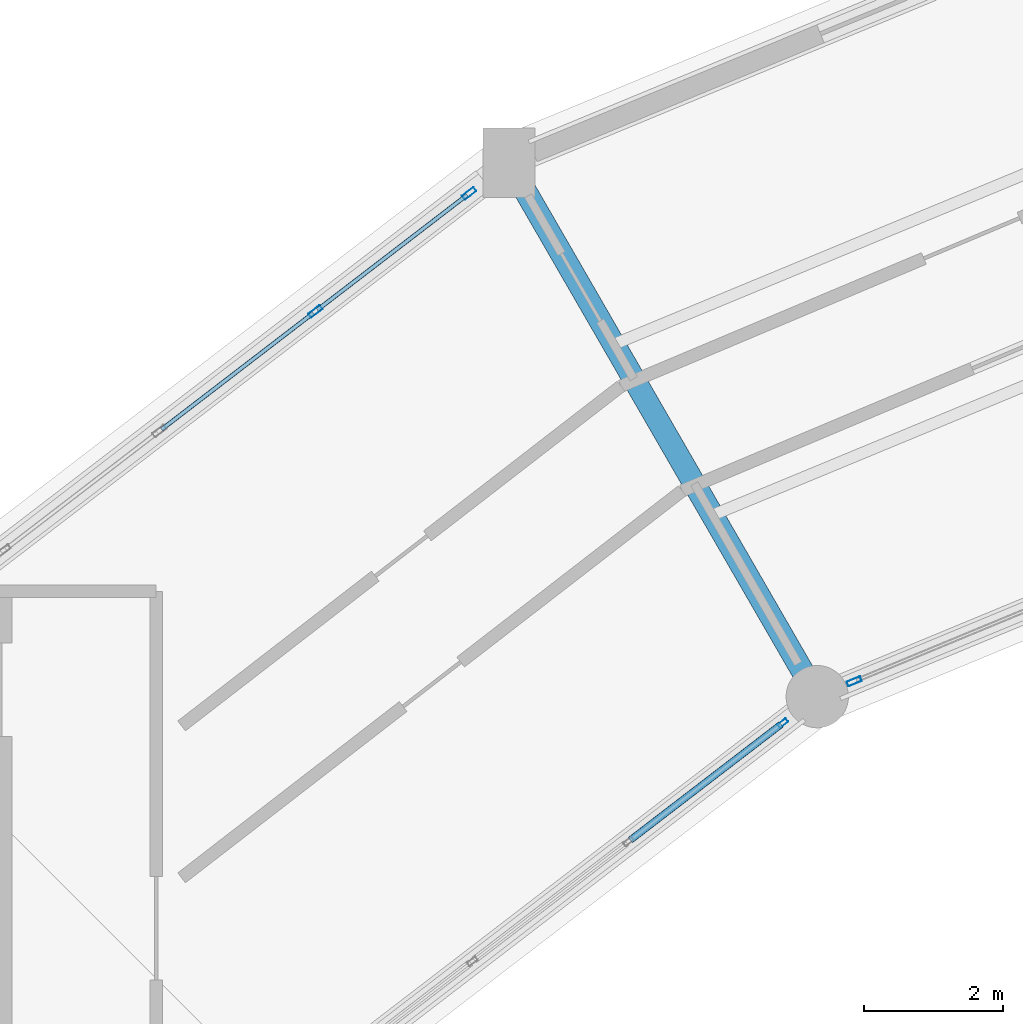
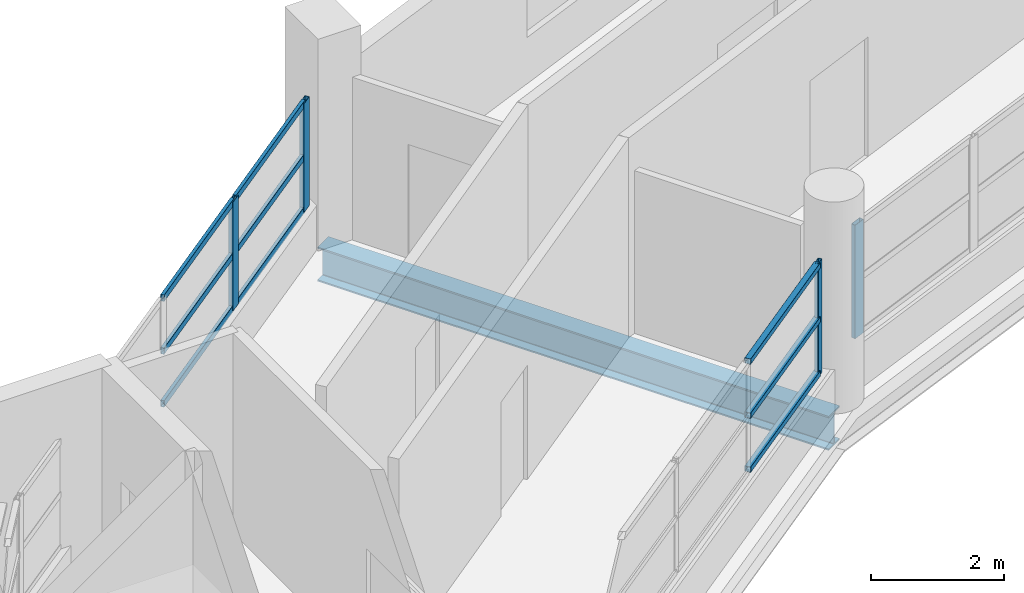
# One storey, part 27 of 53: 13 members, 1 beam, 3 elements without a shape of their own.
"""IFC4 building model written with IfcOpenShell, lengths in metres."""

from ifc_helpers import new_model, si_unit, direction, frame, origin, origin_2d, place, context, subcontext, project, spatial, hollow_rectangle, i_section, extrude, material, layer, layer_set, material_profile, profile_set, type_object, element, aggregate, save


model = new_model("IFC4")

# Units and contexts
model_context = context("Model", 3, precision=1e-05, world=origin(), true_north=direction((0.0, 1.0)))
body_context = subcontext(model_context, "Body", "Model", "MODEL_VIEW")
ifc_project = project(units=[si_unit("LENGTHUNIT", "METRE"), si_unit("AREAUNIT", "SQUARE_METRE"), si_unit("VOLUMEUNIT", "CUBIC_METRE"), si_unit("PLANEANGLEUNIT", "RADIAN"), si_unit("MASSUNIT", "GRAM", prefix="KILO")], contexts=[model_context])

# Site, building, storey
site_placement = place(None, origin())
site = spatial("IfcSite", under=ifc_project, at=site_placement, CompositionType="ELEMENT")
building_placement = place(site_placement, origin())
building = spatial("IfcBuilding", under=site, at=building_placement, Name="Vespera Passage Community Centre", CompositionType="ELEMENT")
storey_placement = place(building_placement, frame((0.0, 0.0, 20.39990234375)))
storey = spatial("IfcBuildingStorey", under=building, at=storey_placement, Name="L05", CompositionType="ELEMENT", Elevation=20.39990234375)

# Beam
ifc_material_1 = material(Name="Steel ASTM A992 Grade 50", Category="steel")
ifc_material_profile_1 = material_profile(ifc_material_1, i_section(OverallWidth=0.32763671875, OverallDepth=0.62841796875, WebThickness=0.0166015625, FlangeThickness=0.027587890625, FilletRadius=0.0126953125, at=origin_2d()), Name="W24X146")
ifc_profile_set_1 = profile_set([ifc_material_profile_1], Name="Steel ASTM A992 Grade 50")
beam_type = type_object("IfcBeamType", Name="BM-G-W24X146", PredefinedType="BEAM", material=ifc_profile_set_1)
beam_placement = place(storey_placement, frame((59.39990234375, 97.716064453125, -0.57421875), z_axis=(-0.499989191739, 0.866031643847, 0.0), x_axis=(-0.866031643847, -0.499989191739, 0.0)))
element("IfcBeam", 1, at=beam_placement, inside=storey, type_object=beam_type, Name="V4 L05 Radial Girder 8", PredefinedType="BEAM", context=body_context, shape_type="SweptSolid", body=[
    extrude(i_section(OverallWidth=0.32763671875, OverallDepth=0.62841796875, WebThickness=0.0166015625, FlangeThickness=0.027587890625, FilletRadius=0.0126953125, at=origin_2d()), origin(), (0.0, 0.0, 1.0), 8.900146484375),
])

# Curtain wall, member
ifc_material_2 = material(Name="Anodized aluminium 6063-T6", Category="aluminium")
ifc_layer_1 = layer(ifc_material_2, 0.159912109375)
ifc_layer_set_1 = layer_set([ifc_layer_1], Name="Anodized aluminium 6063-T6")
curtain_wall_type_1 = type_object("IfcCurtainWallType", Name="CW-61E", PredefinedType="NOTDEFINED", material=ifc_layer_set_1)
curtain_wall_1_placement = place(storey_placement, origin())
curtain_wall_1 = element("IfcCurtainWall", 2, at=curtain_wall_1_placement, inside=storey, type_object=curtain_wall_type_1, Name="V4 L05 Inner Court Curtain Wall 8", PredefinedType="NOTDEFINED")
ifc_material_3 = material(Name="Anodized aluminium 6063-T6", Category="aluminium")
ifc_material_profile_2 = material_profile(ifc_material_3, hollow_rectangle(XDim=0.06494140625, YDim=0.14990234375, WallThickness=0.00390625, InnerFilletRadius=0.001953125, OuterFilletRadius=0.00390625, at=origin_2d()), Name="ALU150X65X4")
ifc_profile_set_2 = profile_set([ifc_material_profile_2], Name="Anodized aluminium 6063-T6")
member_type_1 = type_object("IfcMemberType", Name="MB-CWM-150E", PredefinedType="MULLION", material=ifc_profile_set_2)
member_1_placement = place(storey_placement, frame((58.903564453125, 97.335205078125, 0.820068359375), z_axis=(0.0, 0.0, 1.0), x_axis=(0.608755087843, -0.793358205999, 0.0)))
member_1 = element("IfcMember", 3, at=member_1_placement, type_object=member_type_1, Name="CW-61E mullion 1", PredefinedType="MULLION", context=body_context, shape_type="SweptSolid", body=[
    extrude(hollow_rectangle(XDim=0.06494140625, YDim=0.14990234375, WallThickness=0.00390625, InnerFilletRadius=0.001953125, OuterFilletRadius=0.00390625, at=origin_2d()), origin(), (0.0, 0.0, 1.0), 2.08935546875),
])

ifc_material_4 = material(Name="Anodized aluminium 6063-T6", Category="aluminium")
ifc_layer_2 = layer(ifc_material_4, 0.159912109375)
ifc_layer_set_2 = layer_set([ifc_layer_2], Name="Anodized aluminium 6063-T6")
curtain_wall_type_2 = type_object("IfcCurtainWallType", Name="CW-56E", PredefinedType="NOTDEFINED", material=ifc_layer_set_2)
curtain_wall_2_placement = place(storey_placement, origin())
curtain_wall_2 = element("IfcCurtainWall", 4, at=curtain_wall_2_placement, inside=storey, type_object=curtain_wall_type_2, Name="V4 L05 Inner Court Curtain Wall 7", PredefinedType="NOTDEFINED")
ifc_material_5 = material(Name="Anodized aluminium 6063-T6", Category="aluminium")
ifc_material_profile_3 = material_profile(ifc_material_5, hollow_rectangle(XDim=0.074951171875, YDim=0.2099609375, WallThickness=0.0048828125, InnerFilletRadius=0.00244140625, OuterFilletRadius=0.0048828125, at=origin_2d()), Name="ALU210X75X5")
ifc_profile_set_3 = profile_set([ifc_material_profile_3], Name="Anodized aluminium 6063-T6")
member_type_2 = type_object("IfcMemberType", Name="MB-CWM-210E", PredefinedType="MULLION", material=ifc_profile_set_3)
member_2_placement = place(storey_placement, frame((59.933349609375, 97.93701171875, 0.820068359375), z_axis=(0.0, 0.0, 1.0), x_axis=(0.382690463482, -0.923876620096, 0.0)))
member_2 = element("IfcMember", 5, at=member_2_placement, type_object=member_type_2, Name="CW-56E mullion 4", PredefinedType="MULLION", context=body_context, shape_type="SweptSolid", body=[
    extrude(hollow_rectangle(XDim=0.074951171875, YDim=0.2099609375, WallThickness=0.0048828125, InnerFilletRadius=0.00244140625, OuterFilletRadius=0.0048828125, at=origin_2d()), origin(), (0.0, 0.0, 1.0), 2.08935546875),
])
aggregate(curtain_wall_2, [member_2])

# Curtain wall, members
ifc_material_6 = material(Name="Anodized aluminium 6063-T6", Category="aluminium")
ifc_layer_3 = layer(ifc_material_6, 0.159912109375)
ifc_layer_set_3 = layer_set([ifc_layer_3], Name="Anodized aluminium 6063-T6")
curtain_wall_type_3 = type_object("IfcCurtainWallType", Name="CW-60E", PredefinedType="NOTDEFINED", material=ifc_layer_set_3)
curtain_wall_3_placement = place(storey_placement, origin())
curtain_wall_3 = element("IfcCurtainWall", 6, at=curtain_wall_3_placement, inside=storey, type_object=curtain_wall_type_3, Name="V4 L05 Outer Ribbon Curtain Wall 8", PredefinedType="NOTDEFINED")
member_3_placement = place(storey_placement, frame((52.15380859375, 103.2783203125, 0.820068359375), z_axis=(0.0, 0.0, 1.0), x_axis=(-0.608768221519, 0.793348128169, 0.0)))
member_3 = element("IfcMember", 7, at=member_3_placement, type_object=member_type_2, Name="CW-60E mullion 4", PredefinedType="MULLION", context=body_context, shape_type="SweptSolid", body=[
    extrude(hollow_rectangle(XDim=0.074951171875, YDim=0.2099609375, WallThickness=0.0048828125, InnerFilletRadius=0.00244140625, OuterFilletRadius=0.0048828125, at=origin_2d()), origin(), (0.0, 0.0, 1.0), 2.005615234375),
])
member_4_placement = place(storey_placement, frame((54.374755859375, 104.982421875, 0.820068359375), z_axis=(0.0, 0.0, 1.0), x_axis=(-0.608768221519, 0.793348128169, 0.0)))
member_4 = element("IfcMember", 8, at=member_4_placement, type_object=member_type_2, Name="CW-60E mullion 5", PredefinedType="MULLION", context=body_context, shape_type="SweptSolid", body=[
    extrude(hollow_rectangle(XDim=0.074951171875, YDim=0.2099609375, WallThickness=0.0048828125, InnerFilletRadius=0.00244140625, OuterFilletRadius=0.0048828125, at=origin_2d()), origin(), (0.0, 0.0, 1.0), 2.005615234375),
])

# Member
ifc_material_7 = material(Name="Anodized aluminium 6063-T6", Category="aluminium")
ifc_material_profile_4 = material_profile(ifc_material_7, hollow_rectangle(XDim=0.10009765625, YDim=0.10009765625, WallThickness=0.00390625, InnerFilletRadius=0.001953125, OuterFilletRadius=0.00390625, at=origin_2d()), Name="ALU100X100X4")
ifc_profile_set_4 = profile_set([ifc_material_profile_4], Name="Anodized aluminium 6063-T6")
member_type_3 = type_object("IfcMemberType", Name="MB-CWT-100E", PredefinedType="USERDEFINED", material=ifc_profile_set_4)
member_5_placement = place(storey_placement, frame((58.8779296875, 97.3154296875, 0.8701171875), z_axis=(-0.793397254086, -0.608704195162, 0.0), x_axis=(0.608704195162, -0.793397254086, 0.0)))
member_5 = element("IfcMember", 9, at=member_5_placement, type_object=member_type_3, Name="CW-61E transom 1.1", ObjectType="TRANSOM", PredefinedType="USERDEFINED", context=body_context, shape_type="SweptSolid", body=[
    extrude(hollow_rectangle(XDim=0.10009765625, YDim=0.10009765625, WallThickness=0.00390625, InnerFilletRadius=0.001953125, OuterFilletRadius=0.00390625, at=origin_2d()), origin(), (0.0, 0.0, 1.0), 2.744140625),
])

member_6_placement = place(storey_placement, frame((58.8779296875, 97.3154296875, 1.86474609375), z_axis=(-0.793397254086, -0.608704195162, 0.0), x_axis=(0.608704195162, -0.793397254086, 0.0)))
member_6 = element("IfcMember", 10, at=member_6_placement, type_object=member_type_3, Name="CW-61E transom 1.2", ObjectType="TRANSOM", PredefinedType="USERDEFINED", context=body_context, shape_type="SweptSolid", body=[
    extrude(hollow_rectangle(XDim=0.10009765625, YDim=0.10009765625, WallThickness=0.00390625, InnerFilletRadius=0.001953125, OuterFilletRadius=0.00390625, at=origin_2d()), origin(), (0.0, 0.0, 1.0), 2.744140625),
])

member_7_placement = place(storey_placement, frame((58.8779296875, 97.3154296875, 2.859619140625), z_axis=(-0.793397254086, -0.608704195162, 0.0), x_axis=(0.608704195162, -0.793397254086, 0.0)))
member_7 = element("IfcMember", 11, at=member_7_placement, type_object=member_type_3, Name="CW-61E transom 1.3", ObjectType="TRANSOM", PredefinedType="USERDEFINED", context=body_context, shape_type="SweptSolid", body=[
    extrude(hollow_rectangle(XDim=0.10009765625, YDim=0.10009765625, WallThickness=0.00390625, InnerFilletRadius=0.001953125, OuterFilletRadius=0.00390625, at=origin_2d()), origin(), (0.0, 0.0, 1.0), 2.744140625),
])

aggregate(curtain_wall_1, [member_1, member_5, member_6, member_7])

ifc_material_8 = material(Name="Anodized aluminium 6063-T6", Category="aluminium")
ifc_material_profile_5 = material_profile(ifc_material_8, hollow_rectangle(XDim=0.06005859375, YDim=0.1201171875, WallThickness=0.00390625, InnerFilletRadius=0.001953125, OuterFilletRadius=0.00390625, at=origin_2d()), Name="ALU120X60X4")
ifc_profile_set_5 = profile_set([ifc_material_profile_5], Name="Anodized aluminium 6063-T6")
member_type_4 = type_object("IfcMemberType", Name="MB-CWT-120E", PredefinedType="USERDEFINED", material=ifc_profile_set_5)
member_8_placement = place(storey_placement, frame((49.93310546875, 101.57421875, 0.85009765625), z_axis=(0.793385774295, 0.60871915786, 0.0), x_axis=(-0.60871915786, 0.793385774295, 0.0)))
member_8 = element("IfcMember", 12, at=member_8_placement, type_object=member_type_4, Name="CW-60E transom 3.1", ObjectType="TRANSOM", PredefinedType="USERDEFINED", context=body_context, shape_type="SweptSolid", body=[
    extrude(hollow_rectangle(XDim=0.06005859375, YDim=0.1201171875, WallThickness=0.00390625, InnerFilletRadius=0.001953125, OuterFilletRadius=0.00390625, at=origin_2d()), origin(), (0.0, 0.0, 1.0), 2.76171875),
])

member_9_placement = place(storey_placement, frame((49.93310546875, 101.57421875, 1.822998046875), z_axis=(0.793385774295, 0.60871915786, 0.0), x_axis=(-0.60871915786, 0.793385774295, 0.0)))
member_9 = element("IfcMember", 13, at=member_9_placement, type_object=member_type_4, Name="CW-60E transom 3.2", ObjectType="TRANSOM", PredefinedType="USERDEFINED", context=body_context, shape_type="SweptSolid", body=[
    extrude(hollow_rectangle(XDim=0.06005859375, YDim=0.1201171875, WallThickness=0.00390625, InnerFilletRadius=0.001953125, OuterFilletRadius=0.00390625, at=origin_2d()), origin(), (0.0, 0.0, 1.0), 2.76171875),
])

member_10_placement = place(storey_placement, frame((49.93310546875, 101.57421875, 2.7958984375), z_axis=(0.793385774295, 0.60871915786, 0.0), x_axis=(-0.60871915786, 0.793385774295, 0.0)))
member_10 = element("IfcMember", 14, at=member_10_placement, type_object=member_type_4, Name="CW-60E transom 3.3", ObjectType="TRANSOM", PredefinedType="USERDEFINED", context=body_context, shape_type="SweptSolid", body=[
    extrude(hollow_rectangle(XDim=0.06005859375, YDim=0.1201171875, WallThickness=0.00390625, InnerFilletRadius=0.001953125, OuterFilletRadius=0.00390625, at=origin_2d()), origin(), (0.0, 0.0, 1.0), 2.76171875),
])

member_11_placement = place(storey_placement, frame((52.18359375, 103.301025390625, 0.85009765625), z_axis=(0.793359651626, 0.608753203829, 0.0), x_axis=(-0.608753203829, 0.793359651626, 0.0)))
member_11 = element("IfcMember", 15, at=member_11_placement, type_object=member_type_4, Name="CW-60E transom 4.1", ObjectType="TRANSOM", PredefinedType="USERDEFINED", context=body_context, shape_type="SweptSolid", body=[
    extrude(hollow_rectangle(XDim=0.06005859375, YDim=0.1201171875, WallThickness=0.00390625, InnerFilletRadius=0.001953125, OuterFilletRadius=0.00390625, at=origin_2d()), origin(), (0.0, 0.0, 1.0), 2.724365234375),
])

member_12_placement = place(storey_placement, frame((52.18359375, 103.301025390625, 1.822998046875), z_axis=(0.793359651626, 0.608753203829, 0.0), x_axis=(-0.608753203829, 0.793359651626, 0.0)))
member_12 = element("IfcMember", 16, at=member_12_placement, type_object=member_type_4, Name="CW-60E transom 4.2", ObjectType="TRANSOM", PredefinedType="USERDEFINED", context=body_context, shape_type="SweptSolid", body=[
    extrude(hollow_rectangle(XDim=0.06005859375, YDim=0.1201171875, WallThickness=0.00390625, InnerFilletRadius=0.001953125, OuterFilletRadius=0.00390625, at=origin_2d()), origin(), (0.0, 0.0, 1.0), 2.724365234375),
])

member_13_placement = place(storey_placement, frame((52.18359375, 103.301025390625, 2.7958984375), z_axis=(0.793359651626, 0.608753203829, 0.0), x_axis=(-0.608753203829, 0.793359651626, 0.0)))
member_13 = element("IfcMember", 17, at=member_13_placement, type_object=member_type_4, Name="CW-60E transom 4.3", ObjectType="TRANSOM", PredefinedType="USERDEFINED", context=body_context, shape_type="SweptSolid", body=[
    extrude(hollow_rectangle(XDim=0.06005859375, YDim=0.1201171875, WallThickness=0.00390625, InnerFilletRadius=0.001953125, OuterFilletRadius=0.00390625, at=origin_2d()), origin(), (0.0, 0.0, 1.0), 2.724365234375),
])

aggregate(curtain_wall_3, [member_3, member_4, member_8, member_9, member_10, member_11, member_12, member_13])

save(model, "model.ifc")
